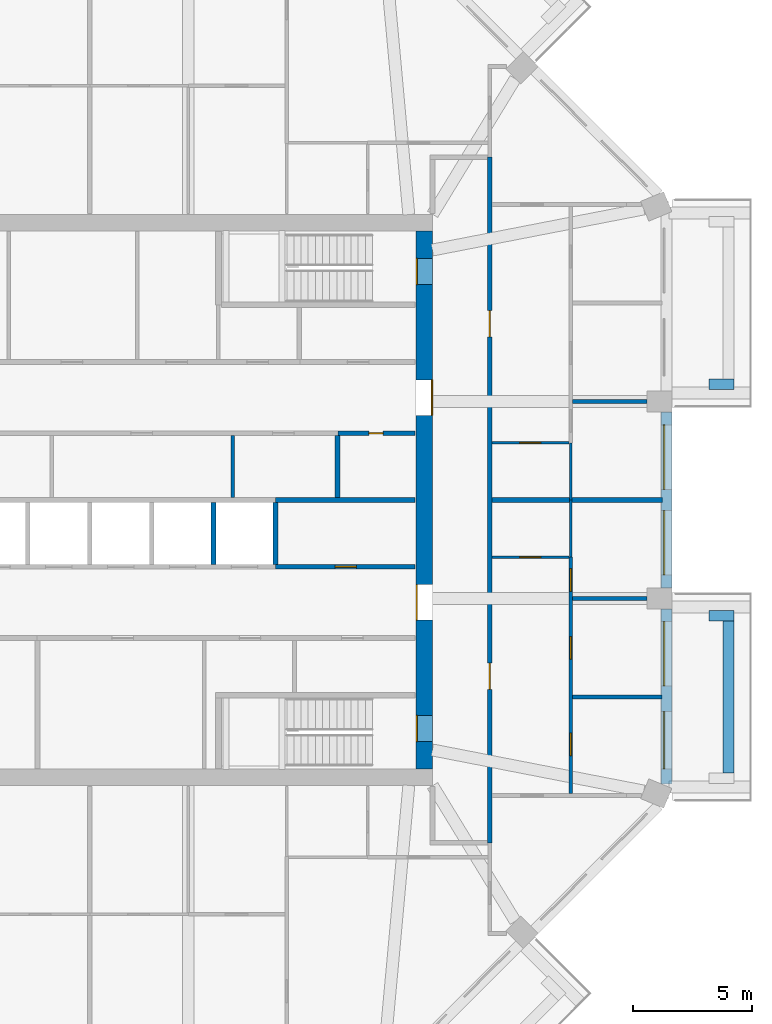
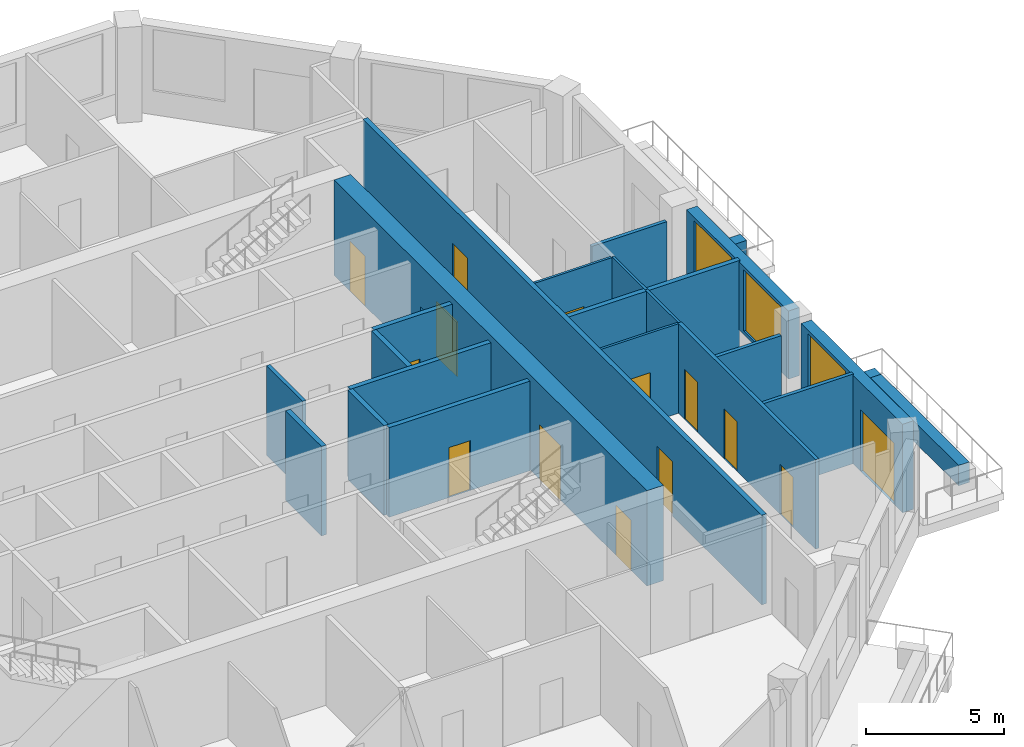
# One storey, part 6 of 12: 23 walls, 14 doors, 3 windows, 17 openings.
"""IFC4 building model written with IfcOpenShell, lengths in metres."""

from ifc_helpers import new_model, si_unit, direction, frame, frame_2d, origin, place, context, subcontext, project, spatial, rectangle, extrude, material, layer, layer_set, type_object, element, fill, save


model = new_model("IFC4")

# Units and contexts
model_context = context("Model", 3, precision=1e-05, world=origin(), true_north=direction((0.0, 1.0)))
body_context = subcontext(model_context, "Body", "Model", "MODEL_VIEW")
ifc_project = project(units=[si_unit("LENGTHUNIT", "METRE"), si_unit("AREAUNIT", "SQUARE_METRE"), si_unit("VOLUMEUNIT", "CUBIC_METRE"), si_unit("PLANEANGLEUNIT", "RADIAN"), si_unit("MASSUNIT", "GRAM", prefix="KILO")], contexts=[model_context])

# Site, building, storey
site_placement = place(None, origin())
site = spatial("IfcSite", under=ifc_project, at=site_placement, CompositionType="ELEMENT")
building_placement = place(site_placement, origin())
building = spatial("IfcBuilding", under=site, at=building_placement, Name="Msitu Wima Residences", CompositionType="ELEMENT")
storey_placement = place(building_placement, frame((0.0, 0.0, 166.5)))
storey = spatial("IfcBuildingStorey", under=building, at=storey_placement, Name="L38", CompositionType="ELEMENT", Elevation=166.5)

# Walls
ifc_material_1 = material(Name="Facing brick")
ifc_layer_1 = layer(ifc_material_1, 0.06494140625, Name="Facing brick")
ifc_material_2 = material(Name="Concrete C40/50", Category="concrete")
ifc_layer_2 = layer(ifc_material_2, 0.156005859375, Name="Concrete C40/50")
ifc_material_3 = material(Name="Waterproofing membrane")
ifc_layer_3 = layer(ifc_material_3, 0.00390625, Name="Waterproofing membrane")
ifc_material_4 = material(Name="Planting soil and planting")
ifc_layer_4 = layer(ifc_material_4, 0.22509765625, Name="Planting soil and planting")
ifc_layer_set_1 = layer_set([ifc_layer_1, ifc_layer_2, ifc_layer_3, ifc_layer_4], Name="Concrete C40/50")
wall_type_1 = type_object("IfcWallType", Name="Balcony planter PLANTER PL450", PredefinedType="USERDEFINED", material=ifc_layer_set_1)
wall_1_placement = place(storey_placement, frame((26.824951171875, -11.461669921875, 0.0), z_axis=(0.0, 0.0, 1.0), x_axis=(0.0, 1.0, 0.0)))
element("IfcWall", 1, at=wall_1_placement, inside=storey, type_object=wall_type_1, Name="Balcony planter E0 L38", ObjectType="PLANTER", PredefinedType="USERDEFINED", context=body_context, shape_type="SweptSolid", body=[
    extrude(rectangle(XDim=6.37451171875, YDim=0.449951171875, at=frame_2d((3.187255859375, 0.0))), origin(), (0.0, 0.0, 1.0), 0.89990234375),
])
for number, where, z_axis, x_axis, name in (
    (2, (26.0, -4.8623046875, 0.0), (0.0, 0.0, 1.0), (1.0, 0.0, 0.0), "Balcony planter E0 L38"),
    (3, (26.0, 4.8623046875, 0.0), (0.0, 0.0, 1.0), (1.0, 0.0, 0.0), "Balcony planter E2 L38"),
):
    element("IfcWall", number, at=place(storey_placement, frame(where, z_axis=z_axis, x_axis=x_axis)), inside=storey, type_object=wall_type_1, Name=name, ObjectType="PLANTER", PredefinedType="USERDEFINED", context=body_context, shape_type="SweptSolid", body=[
        extrude(rectangle(XDim=1.050048828125, YDim=0.449951171875, at=frame_2d((0.52490234375, 0.0))), origin(), (0.0, 0.0, 1.0), 0.89990234375),
    ])

# Wall, openings, door, window
ifc_material_5 = material(Name="Brick (red buff mix)", Category="masonry")
ifc_layer_5 = layer(ifc_material_5, 0.449951171875)
ifc_layer_set_2 = layer_set([ifc_layer_5], Name="Brick (red buff mix)")
wall_type_2 = type_object("IfcWallType", Name="Brick infill wall BW450", PredefinedType="SOLIDWALL", material=ifc_layer_set_2)
wall_2_placement = place(storey_placement, frame((24.22509765625, -11.9248046875, 0.0), z_axis=(0.0, 0.0, 1.0), x_axis=(0.0, 1.0, 0.0)))
wall_2 = element("IfcWall", 4, at=wall_2_placement, inside=storey, type_object=wall_type_2, Name="Brick infill wall L38 E0", PredefinedType="SOLIDWALL", context=body_context, shape_type="SweptSolid", body=[
    extrude(rectangle(XDim=7.337646484375, YDim=0.449951171875, at=frame_2d((3.6689453125, 0.0))), origin(), (0.0, 0.0, 1.0), 3.89990234375),
])
opening_1_placement = place(wall_2_placement, frame((0.63427734375, 0.0, 0.0)))
opening_1 = element("IfcOpeningElement", 5, at=opening_1_placement, cuts=wall_2, Name="Opening D38-39.001", PredefinedType="OPENING", context=body_context, shape_type="SweptSolid", body=[
    extrude(rectangle(XDim=2.39990234375, YDim=2.699951171875, at=frame_2d((1.199951171875, 1.35009765625))), frame((0.0, 0.23486328125, 0.0), z_axis=(0.0, -1.0, 0.0), x_axis=(1.0, 0.0, 0.0)), (0.0, 0.0, 1.0), 0.469970703125),
])
opening_2_placement = place(wall_2_placement, frame((4.11865234375, 0.0, 1.050048828125)))
opening_2 = element("IfcOpeningElement", 6, at=opening_2_placement, cuts=wall_2, Name="Opening W38-39.001", PredefinedType="OPENING", context=body_context, shape_type="SweptSolid", body=[
    extrude(rectangle(XDim=2.699951171875, YDim=2.699951171875, at=frame_2d((1.35009765625, 1.35009765625))), frame((0.0, 0.23486328125, 0.0), z_axis=(0.0, -1.0, 0.0), x_axis=(1.0, 0.0, 0.0)), (0.0, 0.0, 1.0), 0.469970703125),
])
ifc_material_6 = material(Name="Anodised aluminium, bronze finish, clear low-emissivity double glazing", Category="aluminium")
door_type_1 = type_object("IfcDoorType", Name="Balcony door D2400x2700", OperationType="SLIDING_TO_LEFT", PredefinedType="DOOR", material=ifc_material_6)
door_1_placement = place(opening_1_placement, origin())
door_1 = element("IfcDoor", 7, at=door_1_placement, inside=storey, type_object=door_type_1, Name="Balcony door L38 E0", OperationType="SINGLE_SWING_LEFT", OverallHeight=2.699951171875, OverallWidth=2.39990234375, PredefinedType="DOOR", context=body_context, shape_type="SweptSolid", body=[
    extrude(rectangle(XDim=2.39990234375, YDim=2.699951171875, at=frame_2d((1.199951171875, 1.35009765625))), frame((0.0, 0.1298828125, 0.0), z_axis=(0.0, -1.0, 0.0), x_axis=(1.0, 0.0, 0.0)), (0.0, 0.0, 1.0), 0.050048828125),
])
fill(opening_1, door_1)
window_type = type_object("IfcWindowType", Name="Window W2700x2700", PartitioningType="DOUBLE_PANEL_VERTICAL", PredefinedType="WINDOW", material=ifc_material_6)
window_1_placement = place(opening_2_placement, origin())
window_1 = element("IfcWindow", 8, at=window_1_placement, inside=storey, type_object=window_type, Name="Window L38 E0.2", OverallHeight=2.699951171875, OverallWidth=2.699951171875, PartitioningType="SINGLE_PANEL", PredefinedType="WINDOW", context=body_context, shape_type="SweptSolid", body=[
    extrude(rectangle(XDim=2.699951171875, YDim=2.699951171875, at=frame_2d((1.35009765625, 1.35009765625))), frame((0.0, 0.135009765625, 0.0), z_axis=(0.0, -1.0, 0.0), x_axis=(1.0, 0.0, 0.0)), (0.0, 0.0, 1.0), 0.06005859375),
])
fill(opening_2, window_1)

# Wall, openings, windows
wall_3_placement = place(storey_placement, frame((24.22509765625, -3.687255859375, 0.89990234375), z_axis=(0.0, 0.0, 1.0), x_axis=(0.0, 1.0, 0.0)))
wall_3 = element("IfcWall", 9, at=wall_3_placement, inside=storey, type_object=wall_type_2, Name="Brick infill wall L38 E1", PredefinedType="SOLIDWALL", context=body_context, shape_type="SweptSolid", body=[
    extrude(rectangle(XDim=7.37451171875, YDim=0.449951171875, at=frame_2d((3.687255859375, 0.0))), origin(), (0.0, 0.0, 1.0), 3.0),
])
opening_3_placement = place(wall_3_placement, frame((0.537353515625, 0.0, 0.14990234375)))
opening_3 = element("IfcOpeningElement", 10, at=opening_3_placement, cuts=wall_3, Name="Opening W38-39.002", PredefinedType="OPENING", context=body_context, shape_type="SweptSolid", body=[
    extrude(rectangle(XDim=2.699951171875, YDim=2.699951171875, at=frame_2d((1.35009765625, 1.35009765625))), frame((0.0, 0.23486328125, 0.0), z_axis=(0.0, -1.0, 0.0), x_axis=(1.0, 0.0, 0.0)), (0.0, 0.0, 1.0), 0.469970703125),
])
opening_4_placement = place(wall_3_placement, frame((4.13720703125, 0.0, 0.14990234375)))
opening_4 = element("IfcOpeningElement", 11, at=opening_4_placement, cuts=wall_3, Name="Opening W38-39.003", PredefinedType="OPENING", context=body_context, shape_type="SweptSolid", body=[
    extrude(rectangle(XDim=2.699951171875, YDim=2.699951171875, at=frame_2d((1.35009765625, 1.35009765625))), frame((0.0, 0.23486328125, 0.0), z_axis=(0.0, -1.0, 0.0), x_axis=(1.0, 0.0, 0.0)), (0.0, 0.0, 1.0), 0.469970703125),
])
window_2_placement = place(opening_3_placement, origin())
window_2 = element("IfcWindow", 12, at=window_2_placement, inside=storey, type_object=window_type, Name="Window L38 E1.1", OverallHeight=2.699951171875, OverallWidth=2.699951171875, PartitioningType="SINGLE_PANEL", PredefinedType="WINDOW", context=body_context, shape_type="SweptSolid", body=[
    extrude(rectangle(XDim=2.699951171875, YDim=2.699951171875, at=frame_2d((1.35009765625, 1.35009765625))), frame((0.0, 0.135009765625, 0.0), z_axis=(0.0, -1.0, 0.0), x_axis=(1.0, 0.0, 0.0)), (0.0, 0.0, 1.0), 0.06005859375),
])
fill(opening_3, window_2)
window_3_placement = place(opening_4_placement, origin())
window_3 = element("IfcWindow", 13, at=window_3_placement, inside=storey, type_object=window_type, Name="Window L38 E1.2", OverallHeight=2.699951171875, OverallWidth=2.699951171875, PartitioningType="SINGLE_PANEL", PredefinedType="WINDOW", context=body_context, shape_type="SweptSolid", body=[
    extrude(rectangle(XDim=2.699951171875, YDim=2.699951171875, at=frame_2d((1.35009765625, 1.35009765625))), frame((0.0, 0.135009765625, 0.0), z_axis=(0.0, -1.0, 0.0), x_axis=(1.0, 0.0, 0.0)), (0.0, 0.0, 1.0), 0.06005859375),
])
fill(opening_4, window_3)

# Wall, openings, doors
ifc_material_7 = material(Name="Concrete C60/75", Category="concrete")
ifc_layer_6 = layer(ifc_material_7, 0.699951171875)
ifc_layer_set_3 = layer_set([ifc_layer_6], Name="Concrete C60/75")
wall_type_3 = type_object("IfcWallType", Name="Core wall CW700 C60/75", PredefinedType="SHEAR", material=ifc_layer_set_3)
wall_4_placement = place(storey_placement, frame((14.050048828125, -11.300048828125, 0.0), z_axis=(0.0, 0.0, 1.0), x_axis=(0.0, 1.0, 0.0)))
wall_4 = element("IfcWall", 14, at=wall_4_placement, inside=storey, type_object=wall_type_3, Name="Core wall", PredefinedType="SHEAR", context=body_context, shape_type="SweptSolid", body=[
    extrude(rectangle(XDim=22.60009765625, YDim=0.699951171875, at=frame_2d((11.300048828125, 0.0))), origin(), (0.0, 0.0, 1.0), 4.199951171875),
])
opening_5_placement = place(wall_4_placement, frame((20.35009765625, 0.0, 0.0)))
opening_5 = element("IfcOpeningElement", 15, at=opening_5_placement, cuts=wall_4, Name="Opening D38-39.084", PredefinedType="OPENING", context=body_context, shape_type="SweptSolid", body=[
    extrude(rectangle(XDim=1.10009765625, YDim=2.199951171875, at=frame_2d((0.550048828125, 1.10009765625))), frame((0.0, 0.35986328125, 0.0), z_axis=(0.0, -1.0, 0.0), x_axis=(1.0, 0.0, 0.0)), (0.0, 0.0, 1.0), 0.719970703125),
])
opening_6_placement = place(wall_4_placement, frame((1.14990234375, 0.0, 0.0)))
opening_6 = element("IfcOpeningElement", 16, at=opening_6_placement, cuts=wall_4, Name="Opening D38-39.085", PredefinedType="OPENING", context=body_context, shape_type="SweptSolid", body=[
    extrude(rectangle(XDim=1.10009765625, YDim=2.199951171875, at=frame_2d((0.550048828125, 1.10009765625))), frame((0.0, 0.35986328125, 0.0), z_axis=(0.0, -1.0, 0.0), x_axis=(1.0, 0.0, 0.0)), (0.0, 0.0, 1.0), 0.719970703125),
])
opening_7_placement = place(wall_4_placement, frame((14.85009765625, 0.0, 0.0)))
opening_7 = element("IfcOpeningElement", 17, at=opening_7_placement, cuts=wall_4, Name="Opening D38-39.073", PredefinedType="OPENING", context=body_context, shape_type="SweptSolid", body=[
    extrude(rectangle(XDim=1.5, YDim=2.39990234375, at=frame_2d((0.75, 1.199951171875))), frame((0.0, 0.35986328125, 0.0), z_axis=(0.0, -1.0, 0.0), x_axis=(1.0, 0.0, 0.0)), (0.0, 0.0, 1.0), 0.719970703125),
])
opening_8_placement = place(wall_4_placement, frame((6.25, 0.0, 0.0)))
opening_8 = element("IfcOpeningElement", 18, at=opening_8_placement, cuts=wall_4, Name="Opening D38-39.074", PredefinedType="OPENING", context=body_context, shape_type="SweptSolid", body=[
    extrude(rectangle(XDim=1.5, YDim=2.39990234375, at=frame_2d((0.75, 1.199951171875))), frame((0.0, 0.35986328125, 0.0), z_axis=(0.0, -1.0, 0.0), x_axis=(1.0, 0.0, 0.0)), (0.0, 0.0, 1.0), 0.719970703125),
])
ifc_material_8 = material(Name="Steel framed glazed door, fire resisting", Category="steel")
door_type_2 = type_object("IfcDoorType", Name="Lobby door D07 1500x2400", OperationType="DOUBLE_DOOR_SINGLE_SWING", PredefinedType="DOOR", material=ifc_material_8)
door_2_placement = place(opening_7_placement, origin())
door_2 = element("IfcDoor", 19, at=door_2_placement, inside=storey, type_object=door_type_2, Name="Lobby door", OperationType="DOUBLE_DOOR_SINGLE_SWING", OverallHeight=2.39990234375, OverallWidth=1.5, PredefinedType="DOOR", context=body_context, shape_type="SweptSolid", body=[
    extrude(rectangle(XDim=1.5, YDim=2.39990234375, at=frame_2d((0.75, 1.199951171875))), frame((0.0, -0.294921875, 0.0), z_axis=(0.0, -1.0, 0.0), x_axis=(1.0, 0.0, 0.0)), (0.0, 0.0, 1.0), 0.050048828125),
])
fill(opening_7, door_2)
door_3_placement = place(opening_8_placement, origin())
door_3 = element("IfcDoor", 20, at=door_3_placement, inside=storey, type_object=door_type_2, Name="Lobby door", OperationType="DOUBLE_DOOR_SINGLE_SWING", OverallHeight=2.39990234375, OverallWidth=1.5, PredefinedType="DOOR", context=body_context, shape_type="SweptSolid", body=[
    extrude(rectangle(XDim=1.5, YDim=2.39990234375, at=frame_2d((0.75, 1.199951171875))), frame((0.0, 0.34521484375, 0.0), z_axis=(0.0, -1.0, 0.0), x_axis=(1.0, 0.0, 0.0)), (0.0, 0.0, 1.0), 0.050048828125),
])
fill(opening_8, door_3)
ifc_material_9 = material(Name="Steel door, fire resisting, panic bar", Category="steel")
door_type_3 = type_object("IfcDoorType", Name="Stair door D06 1100x2200", OperationType="SINGLE_SWING_LEFT", PredefinedType="DOOR", material=ifc_material_9)
door_4_placement = place(opening_5_placement, origin())
door_4 = element("IfcDoor", 21, at=door_4_placement, inside=storey, type_object=door_type_3, Name="Stair door", OperationType="SINGLE_SWING_LEFT", OverallHeight=2.199951171875, OverallWidth=1.10009765625, PredefinedType="DOOR", context=body_context, shape_type="SweptSolid", body=[
    extrude(rectangle(XDim=1.10009765625, YDim=2.199951171875, at=frame_2d((0.550048828125, 1.10009765625))), frame((0.0, 0.34521484375, 0.0), z_axis=(0.0, -1.0, 0.0), x_axis=(1.0, 0.0, 0.0)), (0.0, 0.0, 1.0), 0.050048828125),
])
fill(opening_5, door_4)
door_5_placement = place(opening_6_placement, origin())
door_5 = element("IfcDoor", 22, at=door_5_placement, inside=storey, type_object=door_type_3, Name="Stair door", OperationType="SINGLE_SWING_RIGHT", OverallHeight=2.199951171875, OverallWidth=1.10009765625, PredefinedType="DOOR", context=body_context, shape_type="SweptSolid", body=[
    extrude(rectangle(XDim=1.10009765625, YDim=2.199951171875, at=frame_2d((0.550048828125, 1.10009765625))), frame((0.0, 0.34521484375, 0.0), z_axis=(0.0, -1.0, 0.0), x_axis=(1.0, 0.0, 0.0)), (0.0, 0.0, 1.0), 0.050048828125),
])
fill(opening_6, door_5)

ifc_material_10 = material(Name="Plaster")
ifc_layer_7 = layer(ifc_material_10, 0.011962890625, Name="Plaster")
ifc_material_11 = material(Name="Concrete blockwork", Category="masonry")
ifc_layer_8 = layer(ifc_material_11, 0.176025390625, Name="Concrete blockwork")
ifc_layer_9 = layer(ifc_material_10, 0.011962890625, Name="Plaster")
ifc_layer_set_4 = layer_set([ifc_layer_7, ifc_layer_8, ifc_layer_9], Name="Concrete blockwork")
wall_type_4 = type_object("IfcWallType", Name="Corridor wall FW200", PredefinedType="PARTITIONING", material=ifc_layer_set_4)
wall_5_placement = place(storey_placement, frame((16.800048828125, -14.39990234375, 0.0), z_axis=(0.0, 0.0, 1.0), x_axis=(0.0, 1.0, 0.0)))
wall_5 = element("IfcWall", 23, at=wall_5_placement, inside=storey, type_object=wall_type_4, Name="Corridor wall", PredefinedType="PARTITIONING", context=body_context, shape_type="SweptSolid", body=[
    extrude(rectangle(XDim=28.7998046875, YDim=0.199951171875, at=frame_2d((14.39990234375, 0.0))), origin(), (0.0, 0.0, 1.0), 3.949951171875),
])
opening_9_placement = place(wall_5_placement, frame((21.25, 0.0, 0.0)))
opening_9 = element("IfcOpeningElement", 24, at=opening_9_placement, cuts=wall_5, Name="Opening D38-39.011", PredefinedType="OPENING", context=body_context, shape_type="SweptSolid", body=[
    extrude(rectangle(XDim=1.10009765625, YDim=2.39990234375, at=frame_2d((0.550048828125, 1.199951171875))), frame((0.0, 0.10986328125, 0.0), z_axis=(0.0, -1.0, 0.0), x_axis=(1.0, 0.0, 0.0)), (0.0, 0.0, 1.0), 0.219970703125),
])
opening_10_placement = place(wall_5_placement, frame((6.449951171875, 0.0, 0.0)))
opening_10 = element("IfcOpeningElement", 25, at=opening_10_placement, cuts=wall_5, Name="Opening D38-39.047", PredefinedType="OPENING", context=body_context, shape_type="SweptSolid", body=[
    extrude(rectangle(XDim=1.10009765625, YDim=2.39990234375, at=frame_2d((0.550048828125, 1.199951171875))), frame((0.0, 0.10986328125, 0.0), z_axis=(0.0, -1.0, 0.0), x_axis=(1.0, 0.0, 0.0)), (0.0, 0.0, 1.0), 0.219970703125),
])
ifc_material_12 = material(Name="Timber flush door, fire resisting, self-closing", Category="wood")
door_type_4 = type_object("IfcDoorType", Name="Flat entrance door D01 1100x2400", OperationType="SINGLE_SWING_LEFT", PredefinedType="DOOR", material=ifc_material_12)
door_6_placement = place(opening_9_placement, origin())
door_6 = element("IfcDoor", 26, at=door_6_placement, inside=storey, type_object=door_type_4, Name="Flat entrance door", OperationType="SINGLE_SWING_LEFT", OverallHeight=2.39990234375, OverallWidth=1.10009765625, PredefinedType="DOOR", context=body_context, shape_type="SweptSolid", body=[
    extrude(rectangle(XDim=1.10009765625, YDim=2.39990234375, at=frame_2d((0.550048828125, 1.199951171875))), frame((0.0, 0.02490234375, 0.0), z_axis=(0.0, -1.0, 0.0), x_axis=(1.0, 0.0, 0.0)), (0.0, 0.0, 1.0), 0.050048828125),
])
fill(opening_9, door_6)
door_7_placement = place(opening_10_placement, origin())
door_7 = element("IfcDoor", 27, at=door_7_placement, inside=storey, type_object=door_type_4, Name="Flat entrance door", OperationType="SINGLE_SWING_RIGHT", OverallHeight=2.39990234375, OverallWidth=1.10009765625, PredefinedType="DOOR", context=body_context, shape_type="SweptSolid", body=[
    extrude(rectangle(XDim=1.10009765625, YDim=2.39990234375, at=frame_2d((0.550048828125, 1.199951171875))), frame((0.0, 0.02490234375, 0.0), z_axis=(0.0, -1.0, 0.0), x_axis=(1.0, 0.0, 0.0)), (0.0, 0.0, 1.0), 0.050048828125),
])
fill(opening_10, door_7)

# Wall
ifc_layer_10 = layer(ifc_material_10, 0.011962890625, Name="Plaster")
ifc_layer_11 = layer(ifc_material_11, 0.1259765625, Name="Concrete blockwork")
ifc_layer_12 = layer(ifc_material_10, 0.011962890625, Name="Plaster")
ifc_layer_set_5 = layer_set([ifc_layer_10, ifc_layer_11, ifc_layer_12], Name="Concrete blockwork")
wall_type_5 = type_object("IfcWallType", Name="Partition PW150", PredefinedType="PARTITIONING", material=ifc_layer_set_5)
wall_6_placement = place(storey_placement, frame((6.0, 0.10009765625, 0.0), z_axis=(0.0, 0.0, 1.0), x_axis=(0.0, 1.0, 0.0)))
element("IfcWall", 28, at=wall_6_placement, inside=storey, type_object=wall_type_5, Name="Partition", PredefinedType="PARTITIONING", context=body_context, shape_type="SweptSolid", body=[
    extrude(rectangle(XDim=2.599853515625, YDim=0.14990234375, at=frame_2d((1.2998046875, 0.0))), origin(), (0.0, 0.0, 1.0), 3.949951171875),
])

# Wall, openings, doors
wall_7_placement = place(storey_placement, frame((20.199951171875, -12.336669921875, 0.0), z_axis=(0.0, 0.0, 1.0), x_axis=(0.0, 1.0, 0.0)))
wall_7 = element("IfcWall", 29, at=wall_7_placement, inside=storey, type_object=wall_type_5, Name="Partition", PredefinedType="PARTITIONING", context=body_context, shape_type="SweptSolid", body=[
    extrude(rectangle(XDim=9.936767578125, YDim=0.14990234375, at=frame_2d((4.96826171875, 0.0))), origin(), (0.0, 0.0, 1.0), 3.949951171875),
])
opening_11_placement = place(wall_7_placement, frame((8.5, 0.0, 0.0)))
opening_11 = element("IfcOpeningElement", 30, at=opening_11_placement, cuts=wall_7, Name="Opening D38-39.051", PredefinedType="OPENING", context=body_context, shape_type="SweptSolid", body=[
    extrude(rectangle(XDim=0.949951171875, YDim=2.199951171875, at=frame_2d((0.47509765625, 1.10009765625))), frame((0.0, 0.0849609375, 0.0), z_axis=(0.0, -1.0, 0.0), x_axis=(1.0, 0.0, 0.0)), (0.0, 0.0, 1.0), 0.169921875),
])
opening_12_placement = place(wall_7_placement, frame((5.64990234375, 0.0, 0.0)))
opening_12 = element("IfcOpeningElement", 31, at=opening_12_placement, cuts=wall_7, Name="Opening D38-39.052", PredefinedType="OPENING", context=body_context, shape_type="SweptSolid", body=[
    extrude(rectangle(XDim=0.949951171875, YDim=2.199951171875, at=frame_2d((0.47509765625, 1.10009765625))), frame((0.0, 0.0849609375, 0.0), z_axis=(0.0, -1.0, 0.0), x_axis=(1.0, 0.0, 0.0)), (0.0, 0.0, 1.0), 0.169921875),
])
opening_13_placement = place(wall_7_placement, frame((1.60009765625, 0.0, 0.0)))
opening_13 = element("IfcOpeningElement", 32, at=opening_13_placement, cuts=wall_7, Name="Opening D38-39.053", PredefinedType="OPENING", context=body_context, shape_type="SweptSolid", body=[
    extrude(rectangle(XDim=0.949951171875, YDim=2.199951171875, at=frame_2d((0.47509765625, 1.10009765625))), frame((0.0, 0.0849609375, 0.0), z_axis=(0.0, -1.0, 0.0), x_axis=(1.0, 0.0, 0.0)), (0.0, 0.0, 1.0), 0.169921875),
])
ifc_material_13 = material(Name="Timber flush door", Category="wood")
door_type_5 = type_object("IfcDoorType", Name="Room door D12 950x2200", OperationType="SINGLE_SWING_LEFT", PredefinedType="DOOR", material=ifc_material_13)
door_8_placement = place(opening_11_placement, origin())
door_8 = element("IfcDoor", 33, at=door_8_placement, inside=storey, type_object=door_type_5, Name="Room door", OperationType="SINGLE_SWING_RIGHT", OverallHeight=2.199951171875, OverallWidth=0.949951171875, PredefinedType="DOOR", context=body_context, shape_type="SweptSolid", body=[
    extrude(rectangle(XDim=0.949951171875, YDim=2.199951171875, at=frame_2d((0.47509765625, 1.10009765625))), frame((0.0, 0.02490234375, 0.0), z_axis=(0.0, -1.0, 0.0), x_axis=(1.0, 0.0, 0.0)), (0.0, 0.0, 1.0), 0.050048828125),
])
fill(opening_11, door_8)
door_9_placement = place(opening_12_placement, origin())
door_9 = element("IfcDoor", 34, at=door_9_placement, inside=storey, type_object=door_type_5, Name="Room door", OperationType="SINGLE_SWING_RIGHT", OverallHeight=2.199951171875, OverallWidth=0.949951171875, PredefinedType="DOOR", context=body_context, shape_type="SweptSolid", body=[
    extrude(rectangle(XDim=0.949951171875, YDim=2.199951171875, at=frame_2d((0.47509765625, 1.10009765625))), frame((0.0, 0.02490234375, 0.0), z_axis=(0.0, -1.0, 0.0), x_axis=(1.0, 0.0, 0.0)), (0.0, 0.0, 1.0), 0.050048828125),
])
fill(opening_12, door_9)
door_10_placement = place(opening_13_placement, origin())
door_10 = element("IfcDoor", 35, at=door_10_placement, inside=storey, type_object=door_type_5, Name="Room door", OperationType="SINGLE_SWING_LEFT", OverallHeight=2.199951171875, OverallWidth=0.949951171875, PredefinedType="DOOR", context=body_context, shape_type="SweptSolid", body=[
    extrude(rectangle(XDim=0.949951171875, YDim=2.199951171875, at=frame_2d((0.47509765625, 1.10009765625))), frame((0.0, 0.02490234375, 0.0), z_axis=(0.0, -1.0, 0.0), x_axis=(1.0, 0.0, 0.0)), (0.0, 0.0, 1.0), 0.050048828125),
])
fill(opening_13, door_10)

# Walls
wall_8_placement = place(storey_placement, frame((20.27490234375, -8.2744140625, 0.0), z_axis=(0.0, 0.0, 1.0), x_axis=(1.0, 0.0, 0.0)))
element("IfcWall", 36, at=wall_8_placement, inside=storey, type_object=wall_type_5, Name="Partition", PredefinedType="PARTITIONING", context=body_context, shape_type="SweptSolid", body=[
    extrude(rectangle(XDim=3.75, YDim=0.14990234375, at=frame_2d((1.875, 0.0))), origin(), (0.0, 0.0, 1.0), 3.949951171875),
])
for number, where, z_axis, x_axis, name in (
    (37, (20.27490234375, -4.13720703125, 0.0), (0.0, 0.0, 1.0), (1.0, 0.0, 0.0), "Partition"),
    (38, (20.27490234375, 4.13720703125, 0.0), (0.0, 0.0, 1.0), (1.0, 0.0, 0.0), "Partition"),
):
    element("IfcWall", number, at=place(storey_placement, frame(where, z_axis=z_axis, x_axis=x_axis)), inside=storey, type_object=wall_type_5, Name=name, PredefinedType="PARTITIONING", context=body_context, shape_type="SweptSolid", body=[
        extrude(rectangle(XDim=3.125, YDim=0.14990234375, at=frame_2d((1.5625, 0.0))), origin(), (0.0, 0.0, 1.0), 3.35009765625),
    ])
ifc_layer_13 = layer(ifc_material_10, 0.011962890625, Name="Plaster")
ifc_material_14 = material(Name="Dense concrete blockwork", Category="masonry")
ifc_layer_14 = layer(ifc_material_14, 0.176025390625, Name="Dense concrete blockwork")
ifc_layer_15 = layer(ifc_material_10, 0.011962890625, Name="Plaster")
ifc_layer_set_6 = layer_set([ifc_layer_13, ifc_layer_14, ifc_layer_15], Name="Dense concrete blockwork")
wall_type_6 = type_object("IfcWallType", Name="Party wall PW200", PredefinedType="PARTITIONING", material=ifc_layer_set_6)
wall_9_placement = place(storey_placement, frame((16.89990234375, 0.0, 0.0), z_axis=(0.0, 0.0, 1.0), x_axis=(1.0, 0.0, 0.0)))
element("IfcWall", 39, at=wall_9_placement, inside=storey, type_object=wall_type_6, Name="Party wall", PredefinedType="PARTITIONING", context=body_context, shape_type="SweptSolid", body=[
    extrude(rectangle(XDim=7.155029296875, YDim=0.199951171875, at=frame_2d((3.57763671875, 0.0))), origin(), (0.0, 0.0, 1.0), 3.949951171875),
])

# Wall, opening, door
ifc_layer_16 = layer(ifc_material_10, 0.011962890625, Name="Plaster")
ifc_material_15 = material(Name="Reinforced concrete blockwork", Category="masonry")
ifc_layer_17 = layer(ifc_material_15, 0.176025390625, Name="Reinforced concrete blockwork")
ifc_layer_18 = layer(ifc_material_10, 0.011962890625, Name="Plaster")
ifc_layer_set_7 = layer_set([ifc_layer_16, ifc_layer_17, ifc_layer_18], Name="Reinforced concrete blockwork")
wall_type_7 = type_object("IfcWallType", Name="Plant and riser wall PL200", PredefinedType="PARTITIONING", material=ifc_layer_set_7)
wall_10_placement = place(storey_placement, frame((7.800048828125, -2.800048828125, 0.0), z_axis=(0.0, 0.0, 1.0), x_axis=(1.0, 0.0, 0.0)))
wall_10 = element("IfcWall", 40, at=wall_10_placement, inside=storey, type_object=wall_type_7, Name="Plant and riser wall", PredefinedType="PARTITIONING", context=body_context, shape_type="SweptSolid", body=[
    extrude(rectangle(XDim=5.869873046875, YDim=0.199951171875, at=frame_2d((2.93505859375, 0.0))), origin(), (0.0, 0.0, 1.0), 3.949951171875),
])
opening_14_placement = place(wall_10_placement, frame((2.5, 0.0, 0.0)))
opening_14 = element("IfcOpeningElement", 41, at=opening_14_placement, cuts=wall_10, Name="Opening D38-39.059", PredefinedType="OPENING", context=body_context, shape_type="SweptSolid", body=[
    extrude(rectangle(XDim=0.89990234375, YDim=2.199951171875, at=frame_2d((0.449951171875, 1.10009765625))), frame((0.0, 0.10986328125, 0.0), z_axis=(0.0, -1.0, 0.0), x_axis=(1.0, 0.0, 0.0)), (0.0, 0.0, 1.0), 0.219970703125),
])
door_type_6 = type_object("IfcDoorType", Name="Service door D05 900x2200", OperationType="SINGLE_SWING_LEFT", PredefinedType="DOOR", material=ifc_material_13)
door_11_placement = place(opening_14_placement, origin())
door_11 = element("IfcDoor", 42, at=door_11_placement, inside=storey, type_object=door_type_6, Name="Service door", OperationType="SINGLE_SWING_LEFT", OverallHeight=2.199951171875, OverallWidth=0.89990234375, PredefinedType="DOOR", context=body_context, shape_type="SweptSolid", body=[
    extrude(rectangle(XDim=0.89990234375, YDim=2.199951171875, at=frame_2d((0.449951171875, 1.10009765625))), frame((0.0, 0.02490234375, 0.0), z_axis=(0.0, -1.0, 0.0), x_axis=(1.0, 0.0, 0.0)), (0.0, 0.0, 1.0), 0.050048828125),
])
fill(opening_14, door_11)

# Wall
wall_11_placement = place(storey_placement, frame((7.800048828125, 0.0, 0.0), z_axis=(0.0, 0.0, 1.0), x_axis=(1.0, 0.0, 0.0)))
element("IfcWall", 43, at=wall_11_placement, inside=storey, type_object=wall_type_7, Name="Plant and riser wall", PredefinedType="PARTITIONING", context=body_context, shape_type="SweptSolid", body=[
    extrude(rectangle(XDim=5.869873046875, YDim=0.199951171875, at=frame_2d((2.93505859375, 0.0))), origin(), (0.0, 0.0, 1.0), 3.949951171875),
])

# Wall, opening, door
wall_12_placement = place(storey_placement, frame((10.419921875, 2.800048828125, 0.0), z_axis=(0.0, 0.0, 1.0), x_axis=(1.0, 0.0, 0.0)))
wall_12 = element("IfcWall", 44, at=wall_12_placement, inside=storey, type_object=wall_type_7, Name="Plant and riser wall", PredefinedType="PARTITIONING", context=body_context, shape_type="SweptSolid", body=[
    extrude(rectangle(XDim=3.25, YDim=0.199951171875, at=frame_2d((1.625, 0.0))), origin(), (0.0, 0.0, 1.0), 3.949951171875),
])
opening_15_placement = place(wall_12_placement, frame((1.300048828125, 0.0, 0.0)))
opening_15 = element("IfcOpeningElement", 45, at=opening_15_placement, cuts=wall_12, Name="Opening D38-39.078", PredefinedType="OPENING", context=body_context, shape_type="SweptSolid", body=[
    extrude(rectangle(XDim=0.60009765625, YDim=2.0, at=frame_2d((0.300048828125, 1.0))), frame((0.0, 0.10986328125, 0.0), z_axis=(0.0, -1.0, 0.0), x_axis=(1.0, 0.0, 0.0)), (0.0, 0.0, 1.0), 0.219970703125),
])
ifc_material_16 = material(Name="Steel access door, fire resisting", Category="steel")
door_type_7 = type_object("IfcDoorType", Name="Riser access door D08 600x2000", OperationType="SINGLE_SWING_LEFT", PredefinedType="DOOR", material=ifc_material_16)
door_12_placement = place(opening_15_placement, origin())
door_12 = element("IfcDoor", 46, at=door_12_placement, inside=storey, type_object=door_type_7, Name="Riser access door", OperationType="SINGLE_SWING_RIGHT", OverallHeight=2.0, OverallWidth=0.60009765625, PredefinedType="DOOR", context=body_context, shape_type="SweptSolid", body=[
    extrude(rectangle(XDim=0.60009765625, YDim=2.0, at=frame_2d((0.300048828125, 1.0))), frame((0.0, 0.02490234375, 0.0), z_axis=(0.0, -1.0, 0.0), x_axis=(1.0, 0.0, 0.0)), (0.0, 0.0, 1.0), 0.050048828125),
])
fill(opening_15, door_12)

# Walls
wall_13_placement = place(storey_placement, frame((10.39990234375, 0.10009765625, 0.0), z_axis=(0.0, 0.0, 1.0), x_axis=(0.0, 1.0, 0.0)))
element("IfcWall", 47, at=wall_13_placement, inside=storey, type_object=wall_type_7, Name="Plant and riser wall", PredefinedType="PARTITIONING", context=body_context, shape_type="SweptSolid", body=[
    extrude(rectangle(XDim=2.599853515625, YDim=0.199951171875, at=frame_2d((1.2998046875, 0.0))), origin(), (0.0, 0.0, 1.0), 3.949951171875),
])
ifc_material_17 = material(Name="Fire-rated board")
ifc_layer_19 = layer(ifc_material_17, 0.02490234375, Name="Fire-rated board")
ifc_material_18 = material(Name="Light-gauge stud framing with mineral wool")
ifc_layer_20 = layer(ifc_material_18, 0.14990234375, Name="Light-gauge stud framing with mineral wool")
ifc_layer_21 = layer(ifc_material_17, 0.02490234375, Name="Fire-rated board")
ifc_layer_set_8 = layer_set([ifc_layer_19, ifc_layer_20, ifc_layer_21], Name="Light-gauge stud framing with mineral wool")
wall_type_8 = type_object("IfcWallType", Name="Shaft wall SH200", PredefinedType="PARTITIONING", material=ifc_layer_set_8)
for number, where, z_axis, x_axis, name in (
    (48, (5.199951171875, -2.699951171875, 0.0), (0.0, 0.0, 1.0), (0.0, 1.0, 0.0), "Shaft wall"),
    (49, (7.800048828125, -2.699951171875, 0.0), (0.0, 0.0, 1.0), (0.0, 1.0, 0.0), "Shaft wall"),
):
    element("IfcWall", number, at=place(storey_placement, frame(where, z_axis=z_axis, x_axis=x_axis)), inside=storey, type_object=wall_type_8, Name=name, PredefinedType="PARTITIONING", context=body_context, shape_type="SweptSolid", body=[
        extrude(rectangle(XDim=2.599853515625, YDim=0.199951171875, at=frame_2d((1.2998046875, 0.0))), origin(), (0.0, 0.0, 1.0), 3.949951171875),
    ])

# Wall, opening, door
ifc_material_19 = material(Name="Ceramic tiles")
ifc_layer_22 = layer(ifc_material_19, 0.008056640625, Name="Ceramic tiles")
ifc_material_20 = material(Name="Moisture-resistant board")
ifc_layer_23 = layer(ifc_material_20, 0.012451171875, Name="Moisture-resistant board")
ifc_layer_24 = layer(ifc_material_18, 0.06689453125, Name="Light-gauge stud framing with mineral wool")
ifc_layer_25 = layer(ifc_material_20, 0.012451171875, Name="Moisture-resistant board")
ifc_layer_set_9 = layer_set([ifc_layer_22, ifc_layer_23, ifc_layer_24, ifc_layer_25], Name="Light-gauge stud framing with mineral wool")
wall_type_9 = type_object("IfcWallType", Name="Wet wall PW100", PredefinedType="PARTITIONING", material=ifc_layer_set_9)
wall_14_placement = place(storey_placement, frame((16.89990234375, -2.39990234375, 0.0), z_axis=(0.0, 0.0, 1.0), x_axis=(1.0, 0.0, 0.0)))
wall_14 = element("IfcWall", 50, at=wall_14_placement, inside=storey, type_object=wall_type_9, Name="Wet wall", PredefinedType="PARTITIONING", context=body_context, shape_type="SweptSolid", body=[
    extrude(rectangle(XDim=3.22509765625, YDim=0.10009765625, at=frame_2d((1.612548828125, 0.0))), origin(), (0.0, 0.0, 1.0), 3.949951171875),
])
opening_16_placement = place(wall_14_placement, frame((1.14990234375, 0.0, 0.0)))
opening_16 = element("IfcOpeningElement", 51, at=opening_16_placement, cuts=wall_14, Name="Opening D38-39.048", PredefinedType="OPENING", context=body_context, shape_type="SweptSolid", body=[
    extrude(rectangle(XDim=0.89990234375, YDim=2.199951171875, at=frame_2d((0.449951171875, 1.10009765625))), frame((0.0, 0.06005859375, 0.0), z_axis=(0.0, -1.0, 0.0), x_axis=(1.0, 0.0, 0.0)), (0.0, 0.0, 1.0), 0.1201171875),
])
ifc_material_21 = material(Name="Timber flush door, moisture resistant", Category="wood")
door_type_8 = type_object("IfcDoorType", Name="Bathroom door D03 900x2200", OperationType="SINGLE_SWING_LEFT", PredefinedType="DOOR", material=ifc_material_21)
door_13_placement = place(opening_16_placement, origin())
door_13 = element("IfcDoor", 52, at=door_13_placement, inside=storey, type_object=door_type_8, Name="Bathroom door", OperationType="SINGLE_SWING_LEFT", OverallHeight=2.199951171875, OverallWidth=0.89990234375, PredefinedType="DOOR", context=body_context, shape_type="SweptSolid", body=[
    extrude(rectangle(XDim=0.89990234375, YDim=2.199951171875, at=frame_2d((0.449951171875, 1.10009765625))), frame((0.0, 0.02490234375, 0.0), z_axis=(0.0, -1.0, 0.0), x_axis=(1.0, 0.0, 0.0)), (0.0, 0.0, 1.0), 0.050048828125),
])
fill(opening_16, door_13)

wall_15_placement = place(storey_placement, frame((16.89990234375, 2.39990234375, 0.0), z_axis=(0.0, 0.0, 1.0), x_axis=(1.0, 0.0, 0.0)))
wall_15 = element("IfcWall", 53, at=wall_15_placement, inside=storey, type_object=wall_type_9, Name="Wet wall", PredefinedType="PARTITIONING", context=body_context, shape_type="SweptSolid", body=[
    extrude(rectangle(XDim=3.22509765625, YDim=0.10009765625, at=frame_2d((1.612548828125, 0.0))), origin(), (0.0, 0.0, 1.0), 3.949951171875),
])
opening_17_placement = place(wall_15_placement, frame((1.14990234375, 0.0, 0.0)))
opening_17 = element("IfcOpeningElement", 54, at=opening_17_placement, cuts=wall_15, Name="Opening D38-39.012", PredefinedType="OPENING", context=body_context, shape_type="SweptSolid", body=[
    extrude(rectangle(XDim=0.89990234375, YDim=2.199951171875, at=frame_2d((0.449951171875, 1.10009765625))), frame((0.0, 0.06005859375, 0.0), z_axis=(0.0, -1.0, 0.0), x_axis=(1.0, 0.0, 0.0)), (0.0, 0.0, 1.0), 0.1201171875),
])
door_14_placement = place(opening_17_placement, origin())
door_14 = element("IfcDoor", 55, at=door_14_placement, inside=storey, type_object=door_type_8, Name="Bathroom door", OperationType="SINGLE_SWING_RIGHT", OverallHeight=2.199951171875, OverallWidth=0.89990234375, PredefinedType="DOOR", context=body_context, shape_type="SweptSolid", body=[
    extrude(rectangle(XDim=0.89990234375, YDim=2.199951171875, at=frame_2d((0.449951171875, 1.10009765625))), frame((0.0, 0.02490234375, 0.0), z_axis=(0.0, -1.0, 0.0), x_axis=(1.0, 0.0, 0.0)), (0.0, 0.0, 1.0), 0.050048828125),
])
fill(opening_17, door_14)

# Walls
for number, where, z_axis, x_axis, name in (
    (56, (20.199951171875, -2.39990234375, 0.0), (0.0, 0.0, 1.0), (0.0, 1.0, 0.0), "Wet wall"),
    (57, (20.199951171875, 0.0, 0.0), (0.0, 0.0, 1.0), (0.0, 1.0, 0.0), "Wet wall"),
):
    element("IfcWall", number, at=place(storey_placement, frame(where, z_axis=z_axis, x_axis=x_axis)), inside=storey, type_object=wall_type_9, Name=name, PredefinedType="PARTITIONING", context=body_context, shape_type="SweptSolid", body=[
        extrude(rectangle(XDim=2.39990234375, YDim=0.10009765625, at=frame_2d((1.199951171875, 0.0))), origin(), (0.0, 0.0, 1.0), 3.949951171875),
    ])

save(model, "model.ifc")
